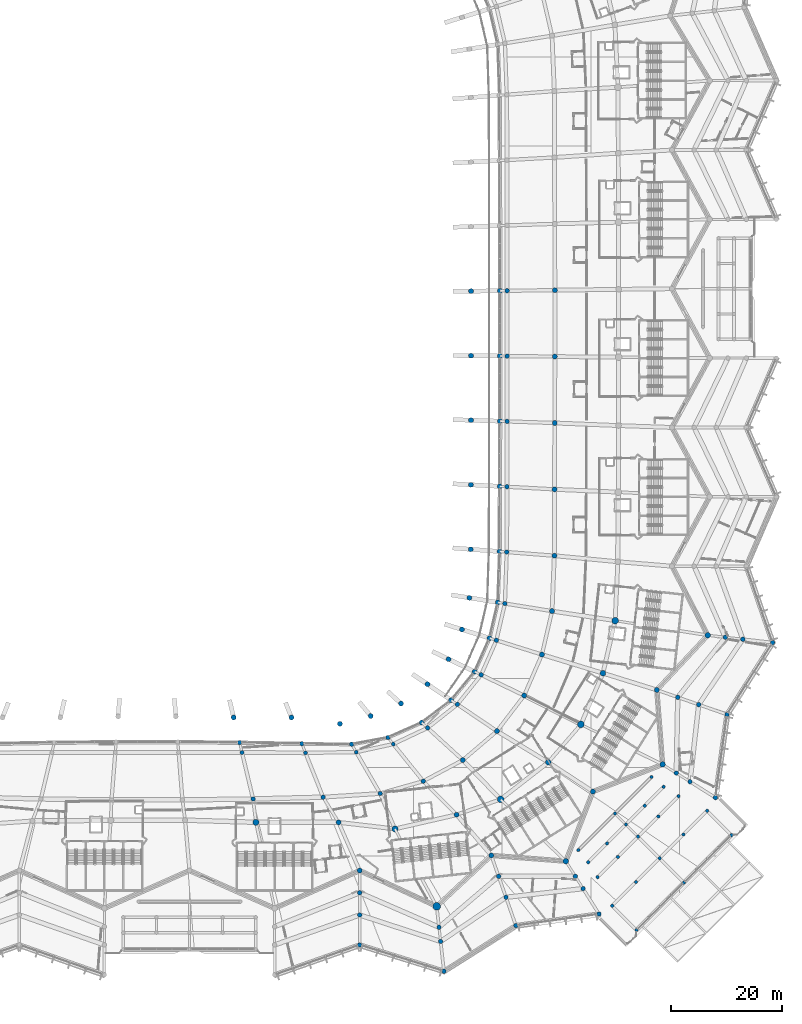
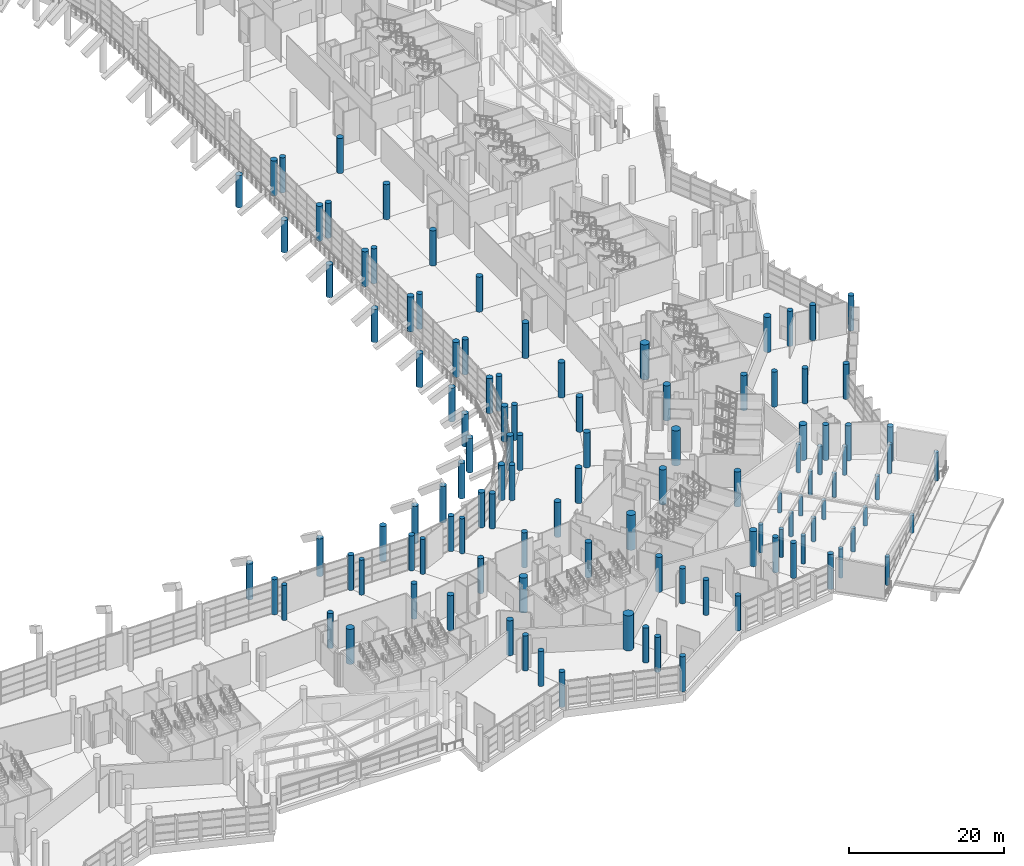
# One storey, part 3 of 271: 115 columns.
"""IFC4 building model written with IfcOpenShell, lengths in metres."""

from ifc_helpers import new_model, si_unit, direction, frame, origin, origin_2d, place, context, subcontext, project, spatial, circle, extrude, material, material_profile, profile_set, type_object, element, save


model = new_model("IFC4")

# Units and contexts
model_context = context("Model", 3, precision=1e-05, world=origin(), true_north=direction((0.0, 1.0)))
body_context = subcontext(model_context, "Body", "Model", "MODEL_VIEW")
ifc_project = project(units=[si_unit("LENGTHUNIT", "METRE"), si_unit("AREAUNIT", "SQUARE_METRE"), si_unit("VOLUMEUNIT", "CUBIC_METRE"), si_unit("PLANEANGLEUNIT", "RADIAN"), si_unit("MASSUNIT", "GRAM", prefix="KILO")], contexts=[model_context])

# Site, building, storey
site_placement = place(None, origin())
site = spatial("IfcSite", under=ifc_project, at=site_placement, CompositionType="ELEMENT")
building_placement = place(site_placement, origin())
building = spatial("IfcBuilding", under=site, at=building_placement, Name="Meseta Stadium", CompositionType="ELEMENT")
storey_placement = place(building_placement, frame((0.0, 0.0, 6.5)))
storey = spatial("IfcBuildingStorey", under=building, at=storey_placement, Name="L01", CompositionType="ELEMENT", Elevation=6.5)

# Columns
ifc_material_1 = material(Name="Concrete C40/50", Category="concrete")
ifc_material_profile_1 = material_profile(ifc_material_1, circle(Radius=0.300048828125, at=origin_2d()), Name="RC D600")
ifc_profile_set_1 = profile_set([ifc_material_profile_1], Name="Concrete C40/50")
column_type_1 = type_object("IfcColumnType", Name="Gate column D600", PredefinedType="COLUMN", material=ifc_profile_set_1)
column_1_placement = place(storey_placement, frame((77.74169921875, -94.90869140625, 0.0), z_axis=(0.0, 0.0, 1.0), x_axis=(1.0, 0.0, 0.0)))
element("IfcColumn", 1, at=column_1_placement, inside=storey, type_object=column_type_1, Name="Gate 8 column L01", PredefinedType="COLUMN", context=body_context, shape_type="SweptSolid", body=[
    extrude(circle(Radius=0.300048828125, at=origin_2d()), origin(), (0.0, 0.0, 1.0), 4.409912109375),
])
column_2_placement = place(storey_placement, frame((84.3251953125, -88.3251953125, 0.0), z_axis=(0.0, 0.0, 1.0), x_axis=(1.0, 0.0, 0.0)))
element("IfcColumn", 2, at=column_2_placement, inside=storey, type_object=column_type_1, Name="Gate 8 column L01", PredefinedType="COLUMN", context=body_context, shape_type="SweptSolid", body=[
    extrude(circle(Radius=0.300048828125, at=origin_2d()), origin(), (0.0, 0.0, 1.0), 3.1064453125),
])
column_3_placement = place(storey_placement, frame((90.90869140625, -81.74169921875, 0.0), z_axis=(0.0, 0.0, 1.0), x_axis=(1.0, 0.0, 0.0)))
element("IfcColumn", 3, at=column_3_placement, inside=storey, type_object=column_type_1, Name="Gate 8 column L01", PredefinedType="COLUMN", context=body_context, shape_type="SweptSolid", body=[
    extrude(circle(Radius=0.300048828125, at=origin_2d()), origin(), (0.0, 0.0, 1.0), 4.409912109375),
])
column_4_placement = place(storey_placement, frame((79.50927734375, -97.10107421875, 0.0), z_axis=(0.0, 0.0, 1.0), x_axis=(1.0, 0.0, 0.0)))
element("IfcColumn", 4, at=column_4_placement, inside=storey, type_object=column_type_1, Name="Gate 8 column L01", PredefinedType="COLUMN", context=body_context, shape_type="SweptSolid", body=[
    extrude(circle(Radius=0.300048828125, at=origin_2d()), origin(), (0.0, 0.0, 1.0), 4.39599609375),
])
column_5_placement = place(storey_placement, frame((82.906982421875, -93.703125, 0.0), z_axis=(0.0, 0.0, 1.0), x_axis=(1.0, 0.0, 0.0)))
element("IfcColumn", 5, at=column_5_placement, inside=storey, type_object=column_type_1, Name="Gate 8 column L01", PredefinedType="COLUMN", context=body_context, shape_type="SweptSolid", body=[
    extrude(circle(Radius=0.300048828125, at=origin_2d()), origin(), (0.0, 0.0, 1.0), 3.72314453125),
])
column_6_placement = place(storey_placement, frame((86.30517578125, -90.30517578125, 0.0), z_axis=(0.0, 0.0, 1.0), x_axis=(1.0, 0.0, 0.0)))
element("IfcColumn", 6, at=column_6_placement, inside=storey, type_object=column_type_1, Name="Gate 8 column L01", PredefinedType="COLUMN", context=body_context, shape_type="SweptSolid", body=[
    extrude(circle(Radius=0.300048828125, at=origin_2d()), origin(), (0.0, 0.0, 1.0), 3.050537109375),
])
column_7_placement = place(storey_placement, frame((89.703125, -86.906982421875, 0.0), z_axis=(0.0, 0.0, 1.0), x_axis=(1.0, 0.0, 0.0)))
element("IfcColumn", 7, at=column_7_placement, inside=storey, type_object=column_type_1, Name="Gate 8 column L01", PredefinedType="COLUMN", context=body_context, shape_type="SweptSolid", body=[
    extrude(circle(Radius=0.300048828125, at=origin_2d()), origin(), (0.0, 0.0, 1.0), 3.72314453125),
])
column_8_placement = place(storey_placement, frame((93.10107421875, -83.50927734375, 0.0), z_axis=(0.0, 0.0, 1.0), x_axis=(1.0, 0.0, 0.0)))
element("IfcColumn", 8, at=column_8_placement, inside=storey, type_object=column_type_1, Name="Gate 8 column L01", PredefinedType="COLUMN", context=body_context, shape_type="SweptSolid", body=[
    extrude(circle(Radius=0.300048828125, at=origin_2d()), origin(), (0.0, 0.0, 1.0), 4.39599609375),
])
column_9_placement = place(storey_placement, frame((81.200927734375, -99.79345703125, 0.0), z_axis=(0.0, 0.0, 1.0), x_axis=(1.0, 0.0, 0.0)))
element("IfcColumn", 9, at=column_9_placement, inside=storey, type_object=column_type_1, Name="Gate 8 column L01", PredefinedType="COLUMN", context=body_context, shape_type="SweptSolid", body=[
    extrude(circle(Radius=0.300048828125, at=origin_2d()), origin(), (0.0, 0.0, 1.0), 4.43310546875),
])
column_10_placement = place(storey_placement, frame((84.84912109375, -96.145263671875, 0.0), z_axis=(0.0, 0.0, 1.0), x_axis=(1.0, 0.0, 0.0)))
element("IfcColumn", 10, at=column_10_placement, inside=storey, type_object=column_type_1, Name="Gate 8 column L01", PredefinedType="COLUMN", context=body_context, shape_type="SweptSolid", body=[
    extrude(circle(Radius=0.300048828125, at=origin_2d()), origin(), (0.0, 0.0, 1.0), 3.710693359375),
])
column_11_placement = place(storey_placement, frame((88.4970703125, -92.4970703125, 0.0), z_axis=(0.0, 0.0, 1.0), x_axis=(1.0, 0.0, 0.0)))
element("IfcColumn", 11, at=column_11_placement, inside=storey, type_object=column_type_1, Name="Gate 8 column L01", PredefinedType="COLUMN", context=body_context, shape_type="SweptSolid", body=[
    extrude(circle(Radius=0.300048828125, at=origin_2d()), origin(), (0.0, 0.0, 1.0), 2.988525390625),
])
column_12_placement = place(storey_placement, frame((92.145263671875, -88.84912109375, 0.0), z_axis=(0.0, 0.0, 1.0), x_axis=(1.0, 0.0, 0.0)))
element("IfcColumn", 12, at=column_12_placement, inside=storey, type_object=column_type_1, Name="Gate 8 column L01", PredefinedType="COLUMN", context=body_context, shape_type="SweptSolid", body=[
    extrude(circle(Radius=0.300048828125, at=origin_2d()), origin(), (0.0, 0.0, 1.0), 3.710693359375),
])
column_13_placement = place(storey_placement, frame((95.79345703125, -85.200927734375, 0.0), z_axis=(0.0, 0.0, 1.0), x_axis=(1.0, 0.0, 0.0)))
element("IfcColumn", 13, at=column_13_placement, inside=storey, type_object=column_type_1, Name="Gate 8 column L01", PredefinedType="COLUMN", context=body_context, shape_type="SweptSolid", body=[
    extrude(circle(Radius=0.300048828125, at=origin_2d()), origin(), (0.0, 0.0, 1.0), 4.43310546875),
])
column_14_placement = place(storey_placement, frame((83.830078125, -104.942138671875, 0.0), z_axis=(0.0, 0.0, 1.0), x_axis=(1.0, 0.0, 0.0)))
element("IfcColumn", 14, at=column_14_placement, inside=storey, type_object=column_type_1, Name="Gate 8 column L01", PredefinedType="COLUMN", context=body_context, shape_type="SweptSolid", body=[
    extrude(circle(Radius=0.300048828125, at=origin_2d()), origin(), (0.0, 0.0, 1.0), 4.572509765625),
])
column_15_placement = place(storey_placement, frame((88.108154296875, -100.664306640625, 0.0), z_axis=(0.0, 0.0, 1.0), x_axis=(1.0, 0.0, 0.0)))
element("IfcColumn", 15, at=column_15_placement, inside=storey, type_object=column_type_1, Name="Gate 8 column L01", PredefinedType="COLUMN", context=body_context, shape_type="SweptSolid", body=[
    extrude(circle(Radius=0.300048828125, at=origin_2d()), origin(), (0.0, 0.0, 1.0), 3.7255859375),
])
column_16_placement = place(storey_placement, frame((92.38623046875, -96.38623046875, 0.0), z_axis=(0.0, 0.0, 1.0), x_axis=(1.0, 0.0, 0.0)))
element("IfcColumn", 16, at=column_16_placement, inside=storey, type_object=column_type_1, Name="Gate 8 column L01", PredefinedType="COLUMN", context=body_context, shape_type="SweptSolid", body=[
    extrude(circle(Radius=0.300048828125, at=origin_2d()), origin(), (0.0, 0.0, 1.0), 2.87841796875),
])
column_17_placement = place(storey_placement, frame((96.664306640625, -92.108154296875, 0.0), z_axis=(0.0, 0.0, 1.0), x_axis=(1.0, 0.0, 0.0)))
element("IfcColumn", 17, at=column_17_placement, inside=storey, type_object=column_type_1, Name="Gate 8 column L01", PredefinedType="COLUMN", context=body_context, shape_type="SweptSolid", body=[
    extrude(circle(Radius=0.300048828125, at=origin_2d()), origin(), (0.0, 0.0, 1.0), 3.7255859375),
])
column_18_placement = place(storey_placement, frame((100.942138671875, -87.830078125, 0.0), z_axis=(0.0, 0.0, 1.0), x_axis=(1.0, 0.0, 0.0)))
element("IfcColumn", 18, at=column_18_placement, inside=storey, type_object=column_type_1, Name="Gate 8 column L01", PredefinedType="COLUMN", context=body_context, shape_type="SweptSolid", body=[
    extrude(circle(Radius=0.300048828125, at=origin_2d()), origin(), (0.0, 0.0, 1.0), 4.572509765625),
])
column_19_placement = place(storey_placement, frame((88.21435546875, -109.326416015625, 0.0), z_axis=(0.0, 0.0, 1.0), x_axis=(1.0, 0.0, 0.0)))
element("IfcColumn", 19, at=column_19_placement, inside=storey, type_object=column_type_1, Name="Gate 8 column L01", PredefinedType="COLUMN", context=body_context, shape_type="SweptSolid", body=[
    extrude(circle(Radius=0.300048828125, at=origin_2d()), origin(), (0.0, 0.0, 1.0), 4.448486328125),
])
column_20_placement = place(storey_placement, frame((96.770263671875, -100.770263671875, 0.0), z_axis=(0.0, 0.0, 1.0), x_axis=(1.0, 0.0, 0.0)))
element("IfcColumn", 20, at=column_20_placement, inside=storey, type_object=column_type_1, Name="Gate 8 column L01", PredefinedType="COLUMN", context=body_context, shape_type="SweptSolid", body=[
    extrude(circle(Radius=0.300048828125, at=origin_2d()), origin(), (0.0, 0.0, 1.0), 2.75439453125),
])
column_21_placement = place(storey_placement, frame((105.326416015625, -92.21435546875, 0.0), z_axis=(0.0, 0.0, 1.0), x_axis=(1.0, 0.0, 0.0)))
element("IfcColumn", 21, at=column_21_placement, inside=storey, type_object=column_type_1, Name="Gate 8 column L01", PredefinedType="COLUMN", context=body_context, shape_type="SweptSolid", body=[
    extrude(circle(Radius=0.300048828125, at=origin_2d()), origin(), (0.0, 0.0, 1.0), 4.448486328125),
])
ifc_material_2 = material(Name="Concrete C40/50", Category="concrete")
ifc_material_profile_2 = material_profile(ifc_material_2, circle(Radius=0.5, at=origin_2d()), Name="RC D1000")
ifc_profile_set_2 = profile_set([ifc_material_profile_2], Name="Concrete C40/50")
column_type_2 = type_object("IfcColumnType", Name="RC column D1000", PredefinedType="COLUMN", material=ifc_profile_set_2)
for number, where, z_axis, x_axis, name in (
    (22, (101.0517578125, -56.202880859375, 0.0), (0.0, 0.0, 1.0), (1.0, 0.0, 0.0), "Column C10 L01 frame 0 line R"),
    (23, (75.474609375, -96.908447265625, 0.0), (0.0, 0.0, 1.0), (1.0, 0.0, 0.0), "Column C10 L01 frame 52 line R"),
    (24, (72.31201171875, -79.091064453125, 0.0), (0.0, 0.0, 1.0), (1.0, 0.0, 0.0), "Column C10 L01 frame 53 line P"),
    (25, (92.908447265625, -79.474609375, 0.0), (0.0, 0.0, 1.0), (1.0, 0.0, 0.0), "Column C10 L01 frame 54 line R"),
    (26, (82.169189453125, -63.03369140625, 0.0), (0.0, 0.0, 1.0), (1.0, 0.0, 0.0), "Column C10 L01 frame 55 line P"),
):
    element("IfcColumn", number, at=place(storey_placement, frame(where, z_axis=z_axis, x_axis=x_axis)), inside=storey, type_object=column_type_2, Name=name, PredefinedType="COLUMN", context=body_context, shape_type="SweptSolid", body=[
        extrude(circle(Radius=0.5, at=origin_2d()), origin(), (0.0, 0.0, 1.0), 5.5),
    ])
ifc_material_3 = material(Name="Concrete C40/50", Category="concrete")
ifc_material_profile_3 = material_profile(ifc_material_3, circle(Radius=0.550048828125, at=origin_2d()), Name="RC D1100")
ifc_profile_set_3 = profile_set([ifc_material_profile_3], Name="Concrete C40/50")
column_type_3 = type_object("IfcColumnType", Name="RC column D1100", PredefinedType="COLUMN", material=ifc_profile_set_3)
for number, where, z_axis, x_axis, name in (
    (27, (19.62744140625, -89.90380859375, 0.0), (0.0, 0.0, 1.0), (1.0, 0.0, 0.0), "Column C11 L01 frame 48 line P"),
    (28, (44.6826171875, -91.0908203125, 0.0), (0.0, 0.0, 1.0), (1.0, 0.0, 0.0), "Column C11 L01 frame 50 line P"),
):
    element("IfcColumn", number, at=place(storey_placement, frame(where, z_axis=z_axis, x_axis=x_axis)), inside=storey, type_object=column_type_3, Name=name, PredefinedType="COLUMN", context=body_context, shape_type="SweptSolid", body=[
        extrude(circle(Radius=0.550048828125, at=origin_2d()), origin(), (0.0, 0.0, 1.0), 5.5),
    ])
ifc_material_4 = material(Name="Concrete C40/50", Category="concrete")
ifc_material_profile_4 = material_profile(ifc_material_4, circle(Radius=0.60009765625, at=origin_2d()), Name="RC D1200")
ifc_profile_set_4 = profile_set([ifc_material_profile_4], Name="Concrete C40/50")
column_type_4 = type_object("IfcColumnType", Name="RC column D1200", PredefinedType="COLUMN", material=ifc_profile_set_4)
for number, where, z_axis, x_axis, name in (
    (29, (84.36328125, -53.5654296875, 0.0), (0.0, 0.0, 1.0), (1.0, 0.0, 0.0), "Column C12 L01 frame 0 line P"),
    (30, (63.731201171875, -85.77099609375, 0.0), (0.0, 0.0, 1.0), (1.0, 0.0, 0.0), "Column C12 L01 frame 52 line P"),
    (31, (78.197998046875, -72.27197265625, 0.0), (0.0, 0.0, 1.0), (1.0, 0.0, 0.0), "Column C12 L01 frame 54 line P"),
):
    element("IfcColumn", number, at=place(storey_placement, frame(where, z_axis=z_axis, x_axis=x_axis)), inside=storey, type_object=column_type_4, Name=name, PredefinedType="COLUMN", context=body_context, shape_type="SweptSolid", body=[
        extrude(circle(Radius=0.60009765625, at=origin_2d()), origin(), (0.0, 0.0, 1.0), 5.5),
    ])
ifc_material_5 = material(Name="Concrete C40/50", Category="concrete")
ifc_material_profile_5 = material_profile(ifc_material_5, circle(Radius=0.699951171875, at=origin_2d()), Name="RC D1400")
ifc_profile_set_5 = profile_set([ifc_material_profile_5], Name="Concrete C40/50")
column_type_5 = type_object("IfcColumnType", Name="RC column D1400", PredefinedType="COLUMN", material=ifc_profile_set_5)
column_22_placement = place(storey_placement, frame((52.202880859375, -105.0517578125, 0.0), z_axis=(0.0, 0.0, 1.0), x_axis=(1.0, 0.0, 0.0)))
element("IfcColumn", 32, at=column_22_placement, inside=storey, type_object=column_type_5, Name="Column C14 L01 frame 50 line R", PredefinedType="COLUMN", context=body_context, shape_type="SweptSolid", body=[
    extrude(circle(Radius=0.699951171875, at=origin_2d()), origin(), (0.0, 0.0, 1.0), 5.5),
])
ifc_material_6 = material(Name="Concrete C40/50", Category="concrete")
ifc_material_profile_6 = material_profile(ifc_material_6, circle(Radius=0.35009765625, at=origin_2d()), Name="RC D700")
ifc_profile_set_6 = profile_set([ifc_material_profile_6], Name="Concrete C40/50")
column_type_6 = type_object("IfcColumnType", Name="RC column D700", PredefinedType="COLUMN", material=ifc_profile_set_6)
for number, where, z_axis, x_axis, name in (
    (33, (17.126708984375, -77.33203125, 0.0), (0.0, 0.0, 1.0), (1.0, 0.0, 0.0), "Column C7 L01 frame 48 line D"),
    (34, (28.564697265625, -77.38330078125, 0.0), (0.0, 0.0, 1.0), (1.0, 0.0, 0.0), "Column C7 L01 frame 49 line D"),
    (35, (37.711669921875, -77.26171875, 0.0), (0.0, 0.0, 1.0), (1.0, 0.0, 0.0), "Column C7 L01 frame 50 line D"),
    (36, (44.39013671875, -75.806396484375, 0.0), (0.0, 0.0, 1.0), (1.0, 0.0, 0.0), "Column C7 L01 frame 51 line D"),
):
    element("IfcColumn", number, at=place(storey_placement, frame(where, z_axis=z_axis, x_axis=x_axis)), inside=storey, type_object=column_type_6, Name=name, PredefinedType="COLUMN", context=body_context, shape_type="SweptSolid", body=[
        extrude(circle(Radius=0.35009765625, at=origin_2d()), origin(), (0.0, 0.0, 1.0), 5.5),
    ])
ifc_material_7 = material(Name="Concrete C40/50", Category="concrete")
ifc_material_profile_7 = material_profile(ifc_material_7, circle(Radius=0.39990234375, at=origin_2d()), Name="RC D800")
ifc_profile_set_7 = profile_set([ifc_material_profile_7], Name="Concrete C40/50")
column_type_7 = type_object("IfcColumnType", Name="RC column D800", PredefinedType="COLUMN", material=ifc_profile_set_7)
for number, where, z_axis, x_axis, name in (
    (37, (64.501708984375, -50.479736328125, 0.0), (0.0, 0.0, 1.0), (1.0, 0.0, 0.0), "Column C8 L01 frame 0 line D"),
    (38, (64.829833984375, -41.2041015625, 0.0), (0.0, 0.0, 1.0), (1.0, 0.0, 0.0), "Column C8 L01 frame 1 line D"),
    (39, (64.8642578125, -29.433349609375, 0.0), (0.0, 0.0, 1.0), (1.0, 0.0, 0.0), "Column C8 L01 frame 2 line D"),
    (40, (64.886962890625, -17.66064453125, 0.0), (0.0, 0.0, 1.0), (1.0, 0.0, 0.0), "Column C8 L01 frame 3 line D"),
    (41, (64.898681640625, -5.886962890625, 0.0), (0.0, 0.0, 1.0), (1.0, 0.0, 0.0), "Column C8 L01 frame 4 line D"),
    (42, (64.898681640625, 5.886962890625, 0.0), (0.0, 0.0, 1.0), (1.0, 0.0, 0.0), "Column C8 L01 frame 5 line D"),
    (43, (16.697509765625, -75.529541015625, 0.0), (0.0, 0.0, 1.0), (1.0, 0.0, 0.0), "Column C8 L01 frame 48 line C"),
    (44, (19.11865234375, -85.6982421875, 0.0), (0.0, 0.0, 1.0), (1.0, 0.0, 0.0), "Column C8 L01 frame 48 line E"),
    (45, (27.910888671875, -75.735595703125, 0.0), (0.0, 0.0, 1.0), (1.0, 0.0, 0.0), "Column C8 L01 frame 49 line C"),
    (46, (31.73681640625, -85.376708984375, 0.0), (0.0, 0.0, 1.0), (1.0, 0.0, 0.0), "Column C8 L01 frame 49 line E"),
    (47, (36.8857421875, -75.8330078125, 0.0), (0.0, 0.0, 1.0), (1.0, 0.0, 0.0), "Column C8 L01 frame 50 line C"),
    (48, (42.015625, -84.707275390625, 0.0), (0.0, 0.0, 1.0), (1.0, 0.0, 0.0), "Column C8 L01 frame 50 line E"),
    (49, (43.430419921875, -74.617431640625, 0.0), (0.0, 0.0, 1.0), (1.0, 0.0, 0.0), "Column C8 L01 frame 51 line C"),
    (50, (49.791259765625, -82.498779296875, 0.0), (0.0, 0.0, 1.0), (1.0, 0.0, 0.0), "Column C8 L01 frame 51 line E"),
    (51, (50.571533203125, -72.888671875, 0.0), (0.0, 0.0, 1.0), (1.0, 0.0, 0.0), "Column C8 L01 frame 52 line D"),
    (52, (55.940185546875, -68.657958984375, 0.0), (0.0, 0.0, 1.0), (1.0, 0.0, 0.0), "Column C8 L01 frame 53 line D"),
    (53, (60.22216796875, -63.33056640625, 0.0), (0.0, 0.0, 1.0), (1.0, 0.0, 0.0), "Column C8 L01 frame 54 line D"),
    (54, (62.963623046875, -57.1044921875, 0.0), (0.0, 0.0, 1.0), (1.0, 0.0, 0.0), "Column C8 L01 frame 55 line D"),
    (55, (104.2119140625, -56.558837890625, 0.0), (0.0, 0.0, 1.0), (1.0, 0.0, 0.0), "Ring column C8 L01 frame 0 line M"),
    (56, (107.372314453125, -56.9150390625, 0.0), (0.0, 0.0, 1.0), (1.0, 0.0, 0.0), "Ring column C8 L01 frame 0 line Q"),
    (57, (112.73828125, -57.51953125, 0.0), (0.0, 0.0, 1.0), (1.0, 0.0, 0.0), "Ring column C8 L01 frame 0 line O"),
    (58, (38.333251953125, -102.60009765625, 0.0), (0.0, 0.0, 1.0), (1.0, 0.0, 0.0), "Ring column C8 L01 frame 49 line M"),
    (59, (38.333251953125, -106.60009765625, 0.0), (0.0, 0.0, 1.0), (1.0, 0.0, 0.0), "Ring column C8 L01 frame 49 line Q"),
    (60, (38.333251953125, -112.0, 0.0), (0.0, 0.0, 1.0), (1.0, 0.0, 0.0), "Ring column C8 L01 frame 49 line O"),
    (61, (52.626220703125, -108.80810546875, 0.0), (0.0, 0.0, 1.0), (1.0, 0.0, 0.0), "Ring column C8 L01 frame 50 line M"),
    (62, (52.9150390625, -111.372314453125, 0.0), (0.0, 0.0, 1.0), (1.0, 0.0, 0.0), "Ring column C8 L01 frame 50 line Q"),
    (63, (53.51953125, -116.73828125, 0.0), (0.0, 0.0, 1.0), (1.0, 0.0, 0.0), "Ring column C8 L01 frame 50 line O"),
    (64, (63.372802734375, -99.648193359375, 0.0), (0.0, 0.0, 1.0), (1.0, 0.0, 0.0), "Ring column C8 L01 frame 51 line M"),
    (65, (64.69384765625, -103.423828125, 0.0), (0.0, 0.0, 1.0), (1.0, 0.0, 0.0), "Ring column C8 L01 frame 51 line Q"),
    (66, (66.477294921875, -108.520751953125, 0.0), (0.0, 0.0, 1.0), (1.0, 0.0, 0.0), "Ring column C8 L01 frame 51 line O"),
    (67, (77.187255859375, -99.63427734375, 0.0), (0.0, 0.0, 1.0), (1.0, 0.0, 0.0), "Ring column C8 L01 frame 52 line M"),
    (68, (78.580810546875, -101.851806640625, 0.0), (0.0, 0.0, 1.0), (1.0, 0.0, 0.0), "Ring column C8 L01 frame 52 line Q"),
    (69, (81.45361328125, -106.42431640625, 0.0), (0.0, 0.0, 1.0), (1.0, 0.0, 0.0), "Ring column C8 L01 frame 52 line O"),
    (70, (95.380126953125, -81.027587890625, 0.0), (0.0, 0.0, 1.0), (1.0, 0.0, 0.0), "Ring column C8 L01 frame 54 line M"),
    (71, (97.851806640625, -82.580810546875, 0.0), (0.0, 0.0, 1.0), (1.0, 0.0, 0.0), "Ring column C8 L01 frame 54 line Q"),
    (72, (102.42431640625, -85.45361328125, 0.0), (0.0, 0.0, 1.0), (1.0, 0.0, 0.0), "Ring column C8 L01 frame 54 line O"),
    (73, (95.648193359375, -67.372802734375, 0.0), (0.0, 0.0, 1.0), (1.0, 0.0, 0.0), "Ring column C8 L01 frame 55 line M"),
    (74, (99.423828125, -68.69384765625, 0.0), (0.0, 0.0, 1.0), (1.0, 0.0, 0.0), "Ring column C8 L01 frame 55 line Q"),
    (75, (104.520751953125, -70.477294921875, 0.0), (0.0, 0.0, 1.0), (1.0, 0.0, 0.0), "Ring column C8 L01 frame 55 line O"),
):
    element("IfcColumn", number, at=place(storey_placement, frame(where, z_axis=z_axis, x_axis=x_axis)), inside=storey, type_object=column_type_7, Name=name, PredefinedType="COLUMN", context=body_context, shape_type="SweptSolid", body=[
        extrude(circle(Radius=0.39990234375, at=origin_2d()), origin(), (0.0, 0.0, 1.0), 5.5),
    ])
ifc_material_8 = material(Name="Concrete C40/50", Category="concrete")
ifc_material_profile_8 = material_profile(ifc_material_8, circle(Radius=0.449951171875, at=origin_2d()), Name="RC D900")
ifc_profile_set_8 = profile_set([ifc_material_profile_8], Name="Concrete C40/50")
column_type_8 = type_object("IfcColumnType", Name="RC column D900", PredefinedType="COLUMN", material=ifc_profile_set_8)
column_23_placement = place(storey_placement, frame((58.084228515625, -49.4462890625, 0.0), z_axis=(0.0, 0.0, 1.0), x_axis=(1.0, 0.0, 0.0)))
element("IfcColumn", 76, at=column_23_placement, inside=storey, type_object=column_type_8, Name="Column C9 L01 frame 0 line U", PredefinedType="COLUMN", context=body_context, shape_type="SweptSolid", body=[
    extrude(circle(Radius=0.449951171875, at=origin_2d()), origin(), (0.0, 0.0, 1.0), 5.302490234375),
])
for number, where, z_axis, x_axis, name in (
    (77, (63.21826171875, -50.27294921875, 0.0), (0.0, 0.0, 1.0), (1.0, 0.0, 0.0), "Column C9 L01 frame 0 line C"),
    (78, (72.9921875, -51.84716796875, 0.0), (0.0, 0.0, 1.0), (1.0, 0.0, 0.0), "Column C9 L01 frame 0 line E"),
):
    element("IfcColumn", number, at=place(storey_placement, frame(where, z_axis=z_axis, x_axis=x_axis)), inside=storey, type_object=column_type_8, Name=name, PredefinedType="COLUMN", context=body_context, shape_type="SweptSolid", body=[
        extrude(circle(Radius=0.449951171875, at=origin_2d()), origin(), (0.0, 0.0, 1.0), 5.5),
    ])
column_24_placement = place(storey_placement, frame((58.348876953125, -40.70654296875, 0.0), z_axis=(0.0, 0.0, 1.0), x_axis=(1.0, 0.0, 0.0)))
element("IfcColumn", 79, at=column_24_placement, inside=storey, type_object=column_type_8, Name="Column C9 L01 frame 1 line U", PredefinedType="COLUMN", context=body_context, shape_type="SweptSolid", body=[
    extrude(circle(Radius=0.449951171875, at=origin_2d()), origin(), (0.0, 0.0, 1.0), 5.294921875),
])
for number, where, z_axis, x_axis, name in (
    (80, (63.53369140625, -41.1044921875, 0.0), (0.0, 0.0, 1.0), (1.0, 0.0, 0.0), "Column C9 L01 frame 1 line C"),
    (81, (73.40478515625, -41.8623046875, 0.0), (0.0, 0.0, 1.0), (1.0, 0.0, 0.0), "Column C9 L01 frame 1 line E"),
):
    element("IfcColumn", number, at=place(storey_placement, frame(where, z_axis=z_axis, x_axis=x_axis)), inside=storey, type_object=column_type_8, Name=name, PredefinedType="COLUMN", context=body_context, shape_type="SweptSolid", body=[
        extrude(circle(Radius=0.449951171875, at=origin_2d()), origin(), (0.0, 0.0, 1.0), 5.5),
    ])
column_25_placement = place(storey_placement, frame((58.3740234375, -29.07763671875, 0.0), z_axis=(0.0, 0.0, 1.0), x_axis=(1.0, 0.0, 0.0)))
element("IfcColumn", 82, at=column_25_placement, inside=storey, type_object=column_type_8, Name="Column C9 L01 frame 2 line U", PredefinedType="COLUMN", context=body_context, shape_type="SweptSolid", body=[
    extrude(circle(Radius=0.449951171875, at=origin_2d()), origin(), (0.0, 0.0, 1.0), 5.21826171875),
])
for number, where, z_axis, x_axis, name in (
    (83, (63.566162109375, -29.362060546875, 0.0), (0.0, 0.0, 1.0), (1.0, 0.0, 0.0), "Column C9 L01 frame 2 line C"),
    (84, (73.451171875, -29.904052734375, 0.0), (0.0, 0.0, 1.0), (1.0, 0.0, 0.0), "Column C9 L01 frame 2 line E"),
):
    element("IfcColumn", number, at=place(storey_placement, frame(where, z_axis=z_axis, x_axis=x_axis)), inside=storey, type_object=column_type_8, Name=name, PredefinedType="COLUMN", context=body_context, shape_type="SweptSolid", body=[
        extrude(circle(Radius=0.449951171875, at=origin_2d()), origin(), (0.0, 0.0, 1.0), 5.5),
    ])
column_26_placement = place(storey_placement, frame((58.390625, -17.447021484375, 0.0), z_axis=(0.0, 0.0, 1.0), x_axis=(1.0, 0.0, 0.0)))
element("IfcColumn", 85, at=column_26_placement, inside=storey, type_object=column_type_8, Name="Column C9 L01 frame 3 line U", PredefinedType="COLUMN", context=body_context, shape_type="SweptSolid", body=[
    extrude(circle(Radius=0.449951171875, at=origin_2d()), origin(), (0.0, 0.0, 1.0), 5.14111328125),
])
for number, where, z_axis, x_axis, name in (
    (86, (63.587890625, -17.617919921875, 0.0), (0.0, 0.0, 1.0), (1.0, 0.0, 0.0), "Column C9 L01 frame 3 line C"),
    (87, (73.482421875, -17.943603515625, 0.0), (0.0, 0.0, 1.0), (1.0, 0.0, 0.0), "Column C9 L01 frame 3 line E"),
):
    element("IfcColumn", number, at=place(storey_placement, frame(where, z_axis=z_axis, x_axis=x_axis)), inside=storey, type_object=column_type_8, Name=name, PredefinedType="COLUMN", context=body_context, shape_type="SweptSolid", body=[
        extrude(circle(Radius=0.449951171875, at=origin_2d()), origin(), (0.0, 0.0, 1.0), 5.5),
    ])
column_27_placement = place(storey_placement, frame((58.39892578125, -5.815673828125, 0.0), z_axis=(0.0, 0.0, 1.0), x_axis=(1.0, 0.0, 0.0)))
element("IfcColumn", 88, at=column_27_placement, inside=storey, type_object=column_type_8, Name="Column C9 L01 frame 4 line U", PredefinedType="COLUMN", context=body_context, shape_type="SweptSolid", body=[
    extrude(circle(Radius=0.449951171875, at=origin_2d()), origin(), (0.0, 0.0, 1.0), 5.064208984375),
])
for number, where, z_axis, x_axis, name in (
    (89, (63.5986328125, -5.872802734375, 0.0), (0.0, 0.0, 1.0), (1.0, 0.0, 0.0), "Column C9 L01 frame 4 line C"),
    (90, (73.498046875, -5.9814453125, 0.0), (0.0, 0.0, 1.0), (1.0, 0.0, 0.0), "Column C9 L01 frame 4 line E"),
):
    element("IfcColumn", number, at=place(storey_placement, frame(where, z_axis=z_axis, x_axis=x_axis)), inside=storey, type_object=column_type_8, Name=name, PredefinedType="COLUMN", context=body_context, shape_type="SweptSolid", body=[
        extrude(circle(Radius=0.449951171875, at=origin_2d()), origin(), (0.0, 0.0, 1.0), 5.5),
    ])
column_28_placement = place(storey_placement, frame((58.39892578125, 5.815673828125, 0.0), z_axis=(0.0, 0.0, 1.0), x_axis=(1.0, 0.0, 0.0)))
element("IfcColumn", 91, at=column_28_placement, inside=storey, type_object=column_type_8, Name="Column C9 L01 frame 5 line U", PredefinedType="COLUMN", context=body_context, shape_type="SweptSolid", body=[
    extrude(circle(Radius=0.449951171875, at=origin_2d()), origin(), (0.0, 0.0, 1.0), 5.064208984375),
])
for number, where, z_axis, x_axis, name in (
    (92, (63.5986328125, 5.872802734375, 0.0), (0.0, 0.0, 1.0), (1.0, 0.0, 0.0), "Column C9 L01 frame 5 line C"),
    (93, (73.498046875, 5.9814453125, 0.0), (0.0, 0.0, 1.0), (1.0, 0.0, 0.0), "Column C9 L01 frame 5 line E"),
):
    element("IfcColumn", number, at=place(storey_placement, frame(where, z_axis=z_axis, x_axis=x_axis)), inside=storey, type_object=column_type_8, Name=name, PredefinedType="COLUMN", context=body_context, shape_type="SweptSolid", body=[
        extrude(circle(Radius=0.449951171875, at=origin_2d()), origin(), (0.0, 0.0, 1.0), 5.5),
    ])
column_29_placement = place(storey_placement, frame((15.62109375, -71.0087890625, 0.0), z_axis=(0.0, 0.0, 1.0), x_axis=(1.0, 0.0, 0.0)))
element("IfcColumn", 94, at=column_29_placement, inside=storey, type_object=column_type_8, Name="Column C9 L01 frame 48 line U", PredefinedType="COLUMN", context=body_context, shape_type="SweptSolid", body=[
    extrude(circle(Radius=0.449951171875, at=origin_2d()), origin(), (0.0, 0.0, 1.0), 5.625732421875),
])
column_30_placement = place(storey_placement, frame((26.03759765625, -71.014404296875, 0.0), z_axis=(0.0, 0.0, 1.0), x_axis=(1.0, 0.0, 0.0)))
element("IfcColumn", 95, at=column_30_placement, inside=storey, type_object=column_type_8, Name="Column C9 L01 frame 49 line U", PredefinedType="COLUMN", context=body_context, shape_type="SweptSolid", body=[
    extrude(circle(Radius=0.449951171875, at=origin_2d()), origin(), (0.0, 0.0, 1.0), 5.935546875),
])
for number, where, z_axis, x_axis, name in (
    (96, (34.53076171875, -89.911865234375, 0.0), (0.0, 0.0, 1.0), (1.0, 0.0, 0.0), "Column C9 L01 frame 49 line P"),
    (97, (38.333251953125, -98.60009765625, 0.0), (0.0, 0.0, 1.0), (1.0, 0.0, 0.0), "Column C9 L01 frame 49 line R"),
    (98, (34.7607421875, -72.15625, 0.0), (0.0, 0.0, 1.0), (1.0, 0.0, 0.0), "Column C9 L01 frame 50 line U"),
):
    element("IfcColumn", number, at=place(storey_placement, frame(where, z_axis=z_axis, x_axis=x_axis)), inside=storey, type_object=column_type_8, Name=name, PredefinedType="COLUMN", context=body_context, shape_type="SweptSolid", body=[
        extrude(circle(Radius=0.449951171875, at=origin_2d()), origin(), (0.0, 0.0, 1.0), 5.5),
    ])
column_31_placement = place(storey_placement, frame((40.307861328125, -70.748291015625, 0.0), z_axis=(0.0, 0.0, 1.0), x_axis=(1.0, 0.0, 0.0)))
element("IfcColumn", 99, at=column_31_placement, inside=storey, type_object=column_type_8, Name="Column C9 L01 frame 51 line U", PredefinedType="COLUMN", context=body_context, shape_type="SweptSolid", body=[
    extrude(circle(Radius=0.449951171875, at=origin_2d()), origin(), (0.0, 0.0, 1.0), 5.867919921875),
])
for number, where, z_axis, x_axis, name in (
    (100, (55.799560546875, -88.541748046875, 0.0), (0.0, 0.0, 1.0), (1.0, 0.0, 0.0), "Column C9 L01 frame 51 line P"),
    (101, (62.051513671875, -95.872802734375, 0.0), (0.0, 0.0, 1.0), (1.0, 0.0, 0.0), "Column C9 L01 frame 51 line R"),
):
    element("IfcColumn", number, at=place(storey_placement, frame(where, z_axis=z_axis, x_axis=x_axis)), inside=storey, type_object=column_type_8, Name=name, PredefinedType="COLUMN", context=body_context, shape_type="SweptSolid", body=[
        extrude(circle(Radius=0.449951171875, at=origin_2d()), origin(), (0.0, 0.0, 1.0), 5.5),
    ])
column_32_placement = place(storey_placement, frame((45.777099609375, -68.499755859375, 0.0), z_axis=(0.0, 0.0, 1.0), x_axis=(1.0, 0.0, 0.0)))
element("IfcColumn", 102, at=column_32_placement, inside=storey, type_object=column_type_8, Name="Column C9 L01 frame 52 line U", PredefinedType="COLUMN", context=body_context, shape_type="SweptSolid", body=[
    extrude(circle(Radius=0.449951171875, at=origin_2d()), origin(), (0.0, 0.0, 1.0), 5.7197265625),
])
for number, where, z_axis, x_axis, name in (
    (103, (49.518310546875, -71.924560546875, 0.0), (0.0, 0.0, 1.0), (1.0, 0.0, 0.0), "Column C9 L01 frame 52 line C"),
    (104, (56.9150390625, -78.69580078125, 0.0), (0.0, 0.0, 1.0), (1.0, 0.0, 0.0), "Column C9 L01 frame 52 line E"),
):
    element("IfcColumn", number, at=place(storey_placement, frame(where, z_axis=z_axis, x_axis=x_axis)), inside=storey, type_object=column_type_8, Name=name, PredefinedType="COLUMN", context=body_context, shape_type="SweptSolid", body=[
        extrude(circle(Radius=0.449951171875, at=origin_2d()), origin(), (0.0, 0.0, 1.0), 5.5),
    ])
column_33_placement = place(storey_placement, frame((50.552978515625, -65.021240234375, 0.0), z_axis=(0.0, 0.0, 1.0), x_axis=(1.0, 0.0, 0.0)))
element("IfcColumn", 105, at=column_33_placement, inside=storey, type_object=column_type_8, Name="Column C9 L01 frame 53 line U", PredefinedType="COLUMN", context=body_context, shape_type="SweptSolid", body=[
    extrude(circle(Radius=0.449951171875, at=origin_2d()), origin(), (0.0, 0.0, 1.0), 5.559814453125),
])
for number, where, z_axis, x_axis, name in (
    (106, (54.819580078125, -67.901611328125, 0.0), (0.0, 0.0, 1.0), (1.0, 0.0, 0.0), "Column C9 L01 frame 53 line C"),
    (107, (63.068115234375, -73.469970703125, 0.0), (0.0, 0.0, 1.0), (1.0, 0.0, 0.0), "Column C9 L01 frame 53 line E"),
    (108, (80.365478515625, -84.365478515625, 0.0), (0.0, 0.0, 1.0), (1.0, 0.0, 0.0), "Column C9 L01 frame 53 line R"),
):
    element("IfcColumn", number, at=place(storey_placement, frame(where, z_axis=z_axis, x_axis=x_axis)), inside=storey, type_object=column_type_8, Name=name, PredefinedType="COLUMN", context=body_context, shape_type="SweptSolid", body=[
        extrude(circle(Radius=0.449951171875, at=origin_2d()), origin(), (0.0, 0.0, 1.0), 5.5),
    ])
column_34_placement = place(storey_placement, frame((54.3642578125, -60.513427734375, 0.0), z_axis=(0.0, 0.0, 1.0), x_axis=(1.0, 0.0, 0.0)))
element("IfcColumn", 109, at=column_34_placement, inside=storey, type_object=column_type_8, Name="Column C9 L01 frame 54 line U", PredefinedType="COLUMN", context=body_context, shape_type="SweptSolid", body=[
    extrude(circle(Radius=0.449951171875, at=origin_2d()), origin(), (0.0, 0.0, 1.0), 5.391845703125),
])
for number, where, z_axis, x_axis, name in (
    (110, (59.049072265625, -62.766357421875, 0.0), (0.0, 0.0, 1.0), (1.0, 0.0, 0.0), "Column C9 L01 frame 54 line C"),
    (111, (67.972412109375, -67.057861328125, 0.0), (0.0, 0.0, 1.0), (1.0, 0.0, 0.0), "Column C9 L01 frame 54 line E"),
):
    element("IfcColumn", number, at=place(storey_placement, frame(where, z_axis=z_axis, x_axis=x_axis)), inside=storey, type_object=column_type_8, Name=name, PredefinedType="COLUMN", context=body_context, shape_type="SweptSolid", body=[
        extrude(circle(Radius=0.449951171875, at=origin_2d()), origin(), (0.0, 0.0, 1.0), 5.5),
    ])
column_35_placement = place(storey_placement, frame((56.76123046875, -55.15966796875, 0.0), z_axis=(0.0, 0.0, 1.0), x_axis=(1.0, 0.0, 0.0)))
element("IfcColumn", 112, at=column_35_placement, inside=storey, type_object=column_type_8, Name="Column C9 L01 frame 55 line U", PredefinedType="COLUMN", context=body_context, shape_type="SweptSolid", body=[
    extrude(circle(Radius=0.449951171875, at=origin_2d()), origin(), (0.0, 0.0, 1.0), 5.1357421875),
])
for number, where, z_axis, x_axis, name in (
    (113, (61.72314453125, -56.715576171875, 0.0), (0.0, 0.0, 1.0), (1.0, 0.0, 0.0), "Column C9 L01 frame 55 line C"),
    (114, (71.169677734375, -59.67724609375, 0.0), (0.0, 0.0, 1.0), (1.0, 0.0, 0.0), "Column C9 L01 frame 55 line E"),
    (115, (91.872802734375, -66.051513671875, 0.0), (0.0, 0.0, 1.0), (1.0, 0.0, 0.0), "Column C9 L01 frame 55 line R"),
):
    element("IfcColumn", number, at=place(storey_placement, frame(where, z_axis=z_axis, x_axis=x_axis)), inside=storey, type_object=column_type_8, Name=name, PredefinedType="COLUMN", context=body_context, shape_type="SweptSolid", body=[
        extrude(circle(Radius=0.449951171875, at=origin_2d()), origin(), (0.0, 0.0, 1.0), 5.5),
    ])

save(model, "model.ifc")
